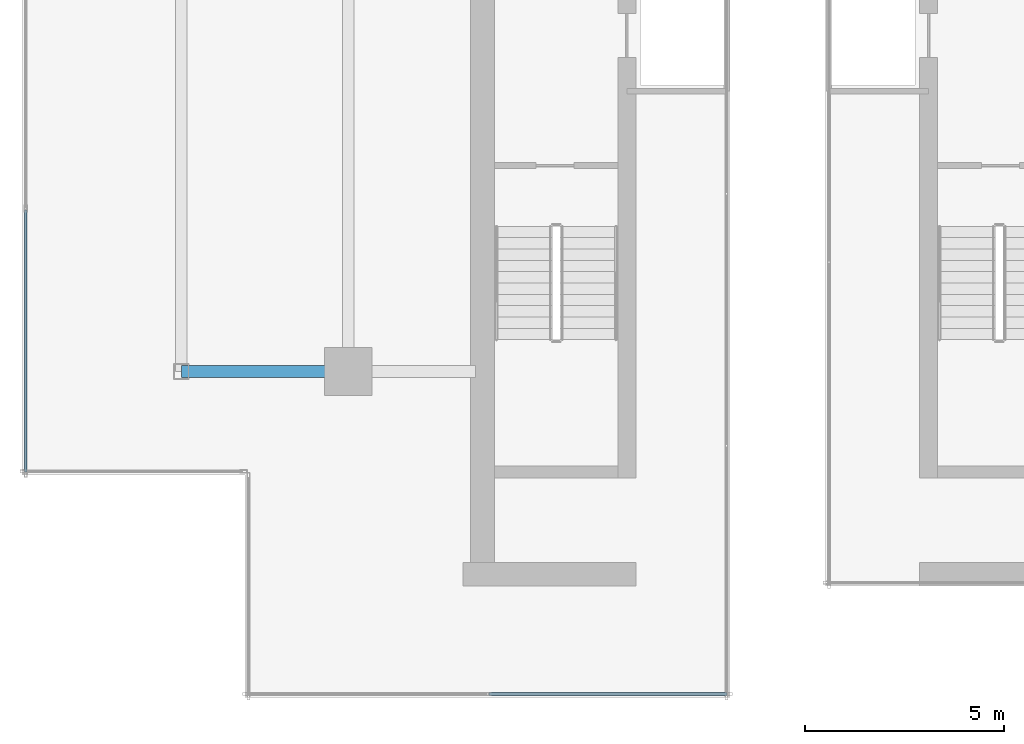
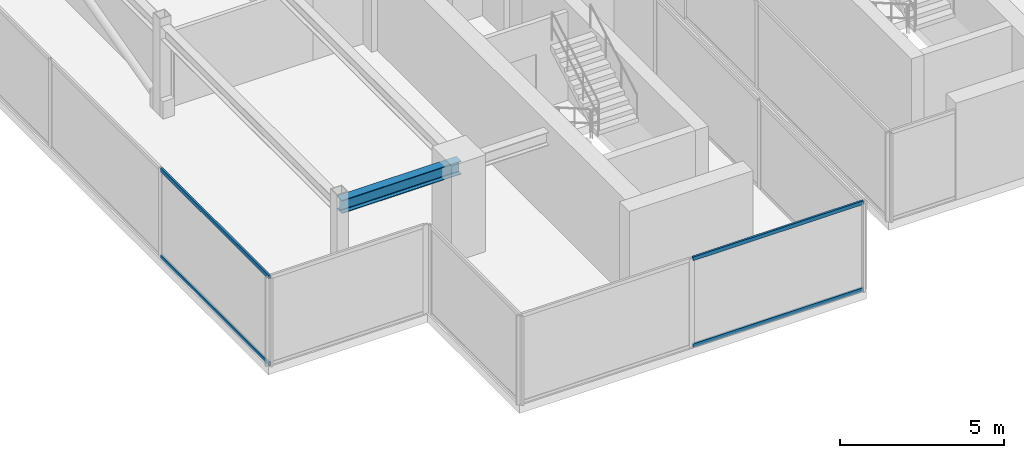
# One storey, part 3 of 16: 4 members, 1 beam, 2 elements without a shape of their own.
"""IFC4 building model written with IfcOpenShell, lengths in metres."""

import ifcopenshell
import ifcopenshell.guid

model = None  # the IFC model being written
_history = None  # IfcOwnerHistory: only IFC2X3 demands one
_inside = {}  # id of a spatial element -> (the spatial element, [elements in it])
_under = {}  # id of a project, library or spatial element -> (it, [spatial elements below it])
_declared = {}  # id of a project -> (the project, [libraries it declares])
_typed = {}  # id of a type object -> (the type object, [elements of that type])
_made_of = {}  # id of a material, layer set ... -> (it, [elements and type objects made of it])


def new_model(schema):
    """Start an empty IFC model of exactly this schema.

    Asked for "IFC4X3", IfcOpenShell would pick the latest addendum, in which some entities
    have other attributes; the version numbers below select the first issue.
    IFC2X3 requires an IfcOwnerHistory on every rooted entity: one is made here for all.
    """
    global model, _history
    if schema == "IFC4X3":
        model = ifcopenshell.file(schema_version=(4, 3, 0, 0))
    else:
        model = ifcopenshell.file(schema=schema)
    _inside.clear()
    _under.clear()
    _declared.clear()
    _typed.clear()
    _made_of.clear()
    _history = None
    if model.schema == "IFC2X3":
        org = make("IfcOrganization", Name="unknown")
        user = make(
            "IfcPersonAndOrganization",
            ThePerson=make("IfcPerson", FamilyName="unknown"),
            TheOrganization=org,
        )
        app = make(
            "IfcApplication",
            ApplicationDeveloper=org,
            Version="unknown",
            ApplicationFullName="unknown",
            ApplicationIdentifier="unknown",
        )
        _history = make(
            "IfcOwnerHistory",
            OwningUser=user,
            OwningApplication=app,
            ChangeAction="ADDED",
            CreationDate=0,
        )
    return model


def make(cls, **values):
    """One entity of the class cls with the attributes given. An attribute that is None is left unset."""
    return model.create_entity(
        cls, **{name: value for name, value in values.items() if value is not None}
    )


def rooted(cls, **values):
    """An entity with a GlobalId (a new one), such as an element, a storey or a relation."""
    return make(cls, GlobalId=ifcopenshell.guid.new(), OwnerHistory=_history, **values)


def si_unit(unit_type, name, prefix=None):
    """IfcSIUnit, for example si_unit("LENGTHUNIT", "METRE", prefix="MILLI")."""
    return make("IfcSIUnit", UnitType=unit_type, Prefix=prefix, Name=name)


def assignment(units):
    """IfcUnitAssignment: the units of a project."""
    return None if units is None else make("IfcUnitAssignment", Units=units)


def point(xyz):
    """IfcCartesianPoint."""
    return None if xyz is None else make("IfcCartesianPoint", Coordinates=xyz)


def direction(xyz):
    """IfcDirection."""
    return None if xyz is None else make("IfcDirection", DirectionRatios=xyz)


def frame(location, z_axis=None, x_axis=None):
    """IfcAxis2Placement3D, a coordinate frame: its origin and axes. An axis left out is left unset."""
    return make(
        "IfcAxis2Placement3D",
        Location=point(location),
        Axis=direction(z_axis),
        RefDirection=direction(x_axis),
    )


def frame_2d(location, x_axis=None):
    """IfcAxis2Placement2D, a coordinate frame in the plane: its origin and x axis."""
    return make(
        "IfcAxis2Placement2D", Location=point(location), RefDirection=direction(x_axis)
    )


def origin():
    """The frame at (0, 0, 0) with its axes left unset."""
    return frame((0.0, 0.0, 0.0))


def origin_2d():
    """The frame at (0, 0) in the plane with its x axis left unset."""
    return frame_2d((0.0, 0.0))


def place(relative_to, where):
    """IfcLocalPlacement: puts the frame where relative to a parent placement (None: the world)."""
    return make(
        "IfcLocalPlacement", PlacementRelTo=relative_to, RelativePlacement=where
    )


def context(
    kind, dimensions, precision=None, world=None, true_north=None, identifier=None
):
    """IfcGeometricRepresentationContext, for example the 3D "Model" context."""
    return make(
        "IfcGeometricRepresentationContext",
        ContextIdentifier=identifier,
        ContextType=kind,
        CoordinateSpaceDimension=dimensions,
        Precision=precision,
        WorldCoordinateSystem=world,
        TrueNorth=true_north,
    )


def subcontext(parent, identifier, kind, view, scale=None):
    """IfcGeometricRepresentationSubContext, for example "Body" below "Model"."""
    return make(
        "IfcGeometricRepresentationSubContext",
        ContextIdentifier=identifier,
        ContextType=kind,
        ParentContext=parent,
        TargetScale=scale,
        TargetView=view,
    )


def project(units=None, contexts=None):
    """IfcProject with its units and contexts."""
    return rooted(
        "IfcProject",
        Name="project",
        RepresentationContexts=contexts,
        UnitsInContext=assignment(units),
    )


def spatial(cls, under=None, at=None, **own):
    """A site, building, storey or space (cls), placed at a placement, below another one or the project."""
    s = rooted(cls, ObjectPlacement=at, **own)
    if under is not None:
        _under.setdefault(under.id(), (under, []))[1].append(s)
    return s


def profile(cls, at=None, kind="AREA", **sizes):
    """A parametric profile (cls). Its sizes go by their IFC names, for example OverallWidth=200.0."""
    return make(cls, ProfileType=kind, Position=at, **sizes)


def hollow_rectangle(**sizes):
    """IfcRectangleHollowProfileDef."""
    return profile("IfcRectangleHollowProfileDef", **sizes)


def i_section(**sizes):
    """IfcIShapeProfileDef."""
    return profile("IfcIShapeProfileDef", **sizes)


def extrude(swept, where, along, depth):
    """IfcExtrudedAreaSolid: the profile swept, set in the frame where, extruded along a direction by depth."""
    return make(
        "IfcExtrudedAreaSolid",
        SweptArea=swept,
        Position=where,
        ExtrudedDirection=direction(along),
        Depth=depth,
    )


def shape(context_of_items, identifier, shape_type, items):
    """IfcShapeRepresentation: the items that make up one representation, for example the "Body"."""
    return make(
        "IfcShapeRepresentation",
        ContextOfItems=context_of_items,
        RepresentationIdentifier=identifier,
        RepresentationType=shape_type,
        Items=items,
    )


def source(mapping_origin, context_of_items, identifier, shape_type, items):
    """IfcRepresentationMap: a shape defined once, which mapped items show again and again."""
    return make(
        "IfcRepresentationMap",
        MappingOrigin=mapping_origin,
        MappedRepresentation=shape(context_of_items, identifier, shape_type, items),
    )


def transform(
    local_origin,
    x_axis=None,
    y_axis=None,
    z_axis=None,
    scale=None,
    scale2=None,
    scale3=None,
    uniform=True,
):
    """IfcCartesianTransformationOperator3D, or its non-uniform kind. x_axis, y_axis, z_axis: its Axis1, 2, 3."""
    if uniform:
        return make(
            "IfcCartesianTransformationOperator3D",
            Axis1=direction(x_axis),
            Axis2=direction(y_axis),
            LocalOrigin=point(local_origin),
            Scale=scale,
            Axis3=direction(z_axis),
        )
    return make(
        "IfcCartesianTransformationOperator3DnonUniform",
        Axis1=direction(x_axis),
        Axis2=direction(y_axis),
        LocalOrigin=point(local_origin),
        Scale=scale,
        Axis3=direction(z_axis),
        Scale2=scale2,
        Scale3=scale3,
    )


def mapped(mapping_source, mapping_target):
    """IfcMappedItem: shows the shape of a source again, moved by a transform."""
    return make(
        "IfcMappedItem", MappingSource=mapping_source, MappingTarget=mapping_target
    )


def material(Name=None, Category=None):
    """IfcMaterial."""
    return make("IfcMaterial", Name=Name, Category=Category)


def material_profile(
    of_material, cross_section, Name=None, Category=None, Priority=None
):
    """IfcMaterialProfile: a cross section and its material."""
    return make(
        "IfcMaterialProfile",
        Name=Name,
        Material=of_material,
        Profile=cross_section,
        Priority=Priority,
        Category=Category,
    )


def profile_set(profiles, Name=None, composite=None):
    """IfcMaterialProfileSet."""
    return make(
        "IfcMaterialProfileSet",
        Name=Name,
        MaterialProfiles=profiles,
        CompositeProfile=composite,
    )


def made_of(thing, what):
    """Note that an element or type object is made of a material, layer set ...; save() writes the relation."""
    if what is not None:
        _made_of.setdefault(what.id(), (what, []))[1].append(thing)
    return thing


def type_object(cls, material=None, **own):
    """A type object (cls), such as IfcWallType, which elements share."""
    return made_of(rooted(cls, **own), material)


def type_shapes(of_type, sources):
    """Give a type object the sources (RepresentationMaps) that its elements show as mapped items."""
    of_type.RepresentationMaps = sources


def element(
    cls,
    number,
    at=None,
    inside=None,
    cuts=None,
    type_object=None,
    material=None,
    context=None,
    identifier="Body",
    shape_type=None,
    held_by="IfcProductDefinitionShape",
    body=None,
    shapes=None,
    **own,
):
    """One element of the class cls, such as IfcWall. Its Tag is "e" and its number.

    at: its placement. inside: the storey or other place that contains it. cuts: it is an
    opening in that element (IfcRelVoidsElement). A single representation is given by context,
    identifier, shape_type and body (its items); several are given by shapes. held_by: the class
    of the entity that holds the representations. save() writes the other relations.
    """
    e = rooted(cls, Tag="e%d" % number, ObjectPlacement=at, **own)
    if body is not None:
        shapes = [shape(context, identifier, shape_type, body)]
    if shapes is not None:
        e.Representation = make(held_by, Representations=shapes)
    if inside is not None:
        _inside.setdefault(inside.id(), (inside, []))[1].append(e)
    if cuts is not None:
        rooted(
            "IfcRelVoidsElement", RelatingBuildingElement=cuts, RelatedOpeningElement=e
        )
    if type_object is not None:
        _typed.setdefault(type_object.id(), (type_object, []))[1].append(e)
    return made_of(e, material)


def aggregate(whole, parts):
    """IfcRelAggregates: a whole, such as a stair, and the parts it consists of."""
    return rooted("IfcRelAggregates", RelatingObject=whole, RelatedObjects=parts)


def save(model, path):
    """Write the relations noted so far, then the file.

    IfcRelAggregates (storeys below a building ...), IfcRelContainedInSpatialStructure (elements
    in a storey), IfcRelDefinesByType, IfcRelAssociatesMaterial and IfcRelDeclares: one each for
    every whole, place, type object, material and project.
    """
    for whole, parts in _under.values():
        aggregate(whole, parts)
    for where, things in _inside.values():
        rooted(
            "IfcRelContainedInSpatialStructure",
            RelatedElements=things,
            RelatingStructure=where,
        )
    for kind, things in _typed.values():
        rooted("IfcRelDefinesByType", RelatedObjects=things, RelatingType=kind)
    for what, things in _made_of.values():
        rooted("IfcRelAssociatesMaterial", RelatedObjects=things, RelatingMaterial=what)
    for by, libraries in _declared.values():
        rooted("IfcRelDeclares", RelatingContext=by, RelatedDefinitions=libraries)
    model.write(path)


model = new_model("IFC4")

# Units and contexts
model_context = context("Model", 3, precision=1e-05, world=origin(), true_north=direction((0.0, 1.0)))
body_context = subcontext(model_context, "Body", "Model", "MODEL_VIEW")
ifc_project = project(units=[si_unit("LENGTHUNIT", "METRE"), si_unit("AREAUNIT", "SQUARE_METRE"), si_unit("VOLUMEUNIT", "CUBIC_METRE"), si_unit("PLANEANGLEUNIT", "RADIAN"), si_unit("MASSUNIT", "GRAM", prefix="KILO")], contexts=[model_context])

# Site, building, storey
site_placement = place(None, origin())
site = spatial("IfcSite", under=ifc_project, at=site_placement, CompositionType="ELEMENT")
building_placement = place(site_placement, origin())
building = spatial("IfcBuilding", under=site, at=building_placement, Name="Krantzveldt Concourse Tower", CompositionType="ELEMENT")
storey_placement = place(building_placement, frame((0.0, 0.0, 378.25)))
storey = spatial("IfcBuildingStorey", under=building, at=storey_placement, Name="L93", CompositionType="ELEMENT", Elevation=378.25)

# Beam
ifc_material_1 = material(Name="Steel S355JR", Category="steel")
ifc_material_profile_1 = material_profile(ifc_material_1, i_section(OverallWidth=0.300048828125, OverallDepth=0.489990234375, WebThickness=0.011962890625, FlangeThickness=0.02294921875, FilletRadius=0.027099609375, at=origin_2d()), Name="Steel S355JR", Category="steel")
ifc_profile_set_1 = profile_set([ifc_material_profile_1], Name="Steel S355JR - HEA 500")
beam_type = type_object("IfcBeamType", Name="BM-B-HEA500", PredefinedType="BEAM", material=ifc_profile_set_1)
shared_shape_1 = source(origin(), body_context, "Body", "SweptSolid", [
    extrude(i_section(OverallWidth=0.300048828125, OverallDepth=0.489990234375, WebThickness=0.011962890625, FlangeThickness=0.02294921875, FilletRadius=0.027099609375, at=origin_2d()), origin(), (0.0, 0.0, 1.0), 4.199951171875),
])
type_shapes(beam_type, [shared_shape_1])
beam_placement = place(storey_placement, frame((21.0, 15.89990234375, 3.054931640625), z_axis=(1.0, 0.0, 0.0), x_axis=(0.0, 1.0, 0.0)))
element("IfcBeam", 1, at=beam_placement, inside=storey, type_object=beam_type, Name="L93 Crown Girder WEST-6", PredefinedType="BEAM", context=body_context, shape_type="MappedRepresentation", body=[
    mapped(shared_shape_1, transform((0.0, 0.0, 0.0), x_axis=(1.0, 0.0, 0.0), y_axis=(0.0, 1.0, 0.0), z_axis=(0.0, 0.0, 1.0), scale=1.0)),
])

# Curtain wall, members
ifc_material_2 = material(Name="Anodised aluminium 6063-T6", Category="aluminium")
curtain_wall_type = type_object("IfcCurtainWallType", Name="CW7", PredefinedType="USERDEFINED", material=ifc_material_2)
curtain_wall_1_placement = place(storey_placement, origin())
curtain_wall_1 = element("IfcCurtainWall", 2, at=curtain_wall_1_placement, inside=storey, type_object=curtain_wall_type, Name="CW-L93-WEST-05", ObjectType="UNITISED CURTAIN WALL", PredefinedType="USERDEFINED")
ifc_material_profile_2 = material_profile(ifc_material_2, hollow_rectangle(XDim=0.070068359375, YDim=0.139892578125, WallThickness=0.0048828125, at=origin_2d()), Name="Anodised aluminium 6063-T6", Category="aluminium")
ifc_profile_set_2 = profile_set([ifc_material_profile_2], Name="Anodised aluminium 6063-T6 - ALU-TRAN 140x70x5")
member_type = type_object("IfcMemberType", Name="CW-TRN-150", PredefinedType="USERDEFINED", material=ifc_profile_set_2)
shared_shape_2 = source(origin(), body_context, "Body", "SweptSolid", [
    extrude(hollow_rectangle(XDim=0.070068359375, YDim=0.139892578125, WallThickness=0.0048828125, at=origin_2d()), origin(), (0.0, 0.0, 1.0), 6.594970703125),
])
member_1_placement = place(storey_placement, frame((17.090087890625, 19.965087890625, 0.034912109375), z_axis=(0.0, -1.0, 0.0), x_axis=(1.0, 0.0, 0.0)))
member_1 = element("IfcMember", 3, at=member_1_placement, type_object=member_type, Name="CW-CRN transom 4.1", ObjectType="TRANSOM", PredefinedType="USERDEFINED", context=body_context, shape_type="MappedRepresentation", body=[
    mapped(shared_shape_2, transform((0.0, 0.0, 0.0), x_axis=(1.0, 0.0, 0.0), y_axis=(0.0, 1.0, 0.0), z_axis=(0.0, 0.0, 1.0), scale=1.0)),
])
member_2_placement = place(storey_placement, frame((17.090087890625, 19.965087890625, 3.264892578125), z_axis=(0.0, -1.0, 0.0), x_axis=(1.0, 0.0, 0.0)))
member_2 = element("IfcMember", 4, at=member_2_placement, type_object=member_type, Name="CW-CRN transom 4.2", ObjectType="TRANSOM", PredefinedType="USERDEFINED", context=body_context, shape_type="MappedRepresentation", body=[
    mapped(shared_shape_2, transform((0.0, 0.0, 0.0), x_axis=(1.0, 0.0, 0.0), y_axis=(0.0, 1.0, 0.0), z_axis=(0.0, 0.0, 1.0), scale=1.0)),
])
aggregate(curtain_wall_1, [member_1, member_2])

curtain_wall_2_placement = place(storey_placement, origin())
curtain_wall_2 = element("IfcCurtainWall", 5, at=curtain_wall_2_placement, inside=storey, type_object=curtain_wall_type, Name="CW-L93-WEST-00", ObjectType="UNITISED CURTAIN WALL", PredefinedType="USERDEFINED")
shared_shape_3 = source(origin(), body_context, "Body", "SweptSolid", [
    extrude(hollow_rectangle(XDim=0.070068359375, YDim=0.139892578125, WallThickness=0.0048828125, at=origin_2d()), origin(), (0.0, 0.0, 1.0), 5.994873046875),
])
type_shapes(member_type, [shared_shape_2, shared_shape_3])
member_3_placement = place(storey_placement, frame((28.735107421875, 7.7900390625, 0.034912109375), z_axis=(1.0, 0.0, 0.0), x_axis=(0.0, 1.0, 0.0)))
member_3 = element("IfcMember", 6, at=member_3_placement, type_object=member_type, Name="CW-CRN transom 2.1", ObjectType="TRANSOM", PredefinedType="USERDEFINED", context=body_context, shape_type="MappedRepresentation", body=[
    mapped(shared_shape_3, transform((0.0, 0.0, 0.0), x_axis=(1.0, 0.0, 0.0), y_axis=(0.0, 1.0, 0.0), z_axis=(0.0, 0.0, 1.0), scale=1.0)),
])
member_4_placement = place(storey_placement, frame((28.735107421875, 7.7900390625, 3.264892578125), z_axis=(1.0, 0.0, 0.0), x_axis=(0.0, 1.0, 0.0)))
member_4 = element("IfcMember", 7, at=member_4_placement, type_object=member_type, Name="CW-CRN transom 2.2", ObjectType="TRANSOM", PredefinedType="USERDEFINED", context=body_context, shape_type="MappedRepresentation", body=[
    mapped(shared_shape_3, transform((0.0, 0.0, 0.0), x_axis=(1.0, 0.0, 0.0), y_axis=(0.0, 1.0, 0.0), z_axis=(0.0, 0.0, 1.0), scale=1.0)),
])
aggregate(curtain_wall_2, [member_3, member_4])

save(model, "model.ifc")
